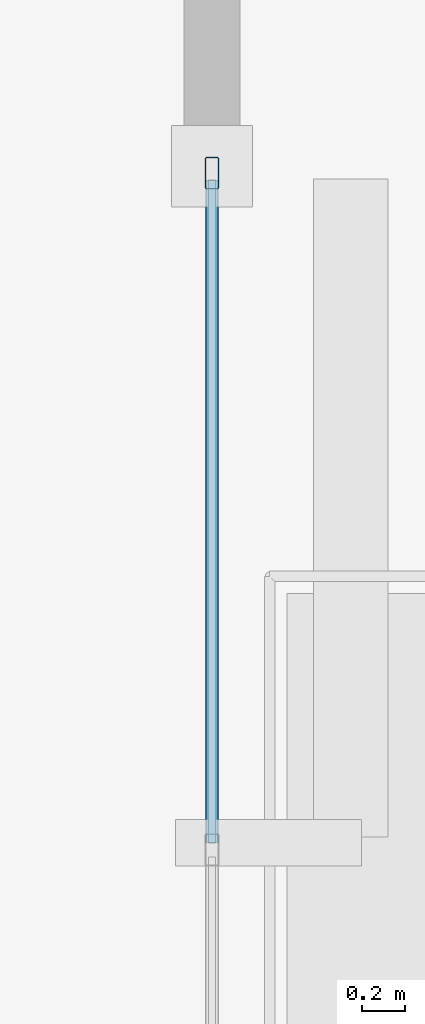
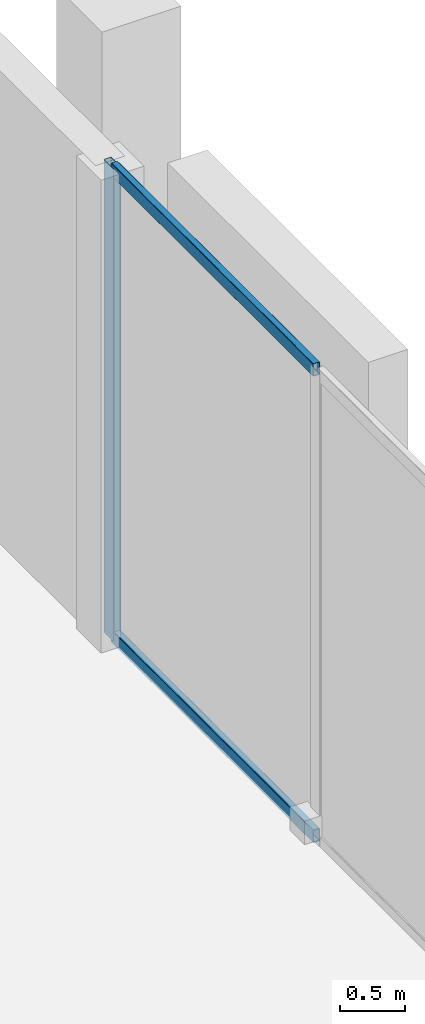
# One storey, part 7 of 16: 3 members, 1 element without a shape of its own.
"""IFC4 building model written with IfcOpenShell, lengths in metres."""

from ifc_helpers import new_model, si_unit, direction, frame, origin, origin_2d, place, context, subcontext, project, spatial, hollow_rectangle, extrude, material, layer, layer_set, material_profile, profile_set, type_object, element, aggregate, save


model = new_model("IFC4")

# Units and contexts
model_context = context("Model", 3, precision=1e-05, world=origin(), true_north=direction((0.0, 1.0)))
body_context = subcontext(model_context, "Body", "Model", "MODEL_VIEW")
ifc_project = project(units=[si_unit("LENGTHUNIT", "METRE"), si_unit("AREAUNIT", "SQUARE_METRE"), si_unit("VOLUMEUNIT", "CUBIC_METRE"), si_unit("PLANEANGLEUNIT", "RADIAN"), si_unit("MASSUNIT", "GRAM", prefix="KILO")], contexts=[model_context])

# Site, building, storey
site_placement = place(None, origin())
site = spatial("IfcSite", under=ifc_project, at=site_placement, CompositionType="ELEMENT")
building_placement = place(site_placement, origin())
building = spatial("IfcBuilding", under=site, at=building_placement, Name="An Khanh Terracotta Commons", CompositionType="ELEMENT")
storey_placement = place(building_placement, frame((0.0, 0.0, 5.39990234375)))
storey = spatial("IfcBuildingStorey", under=building, at=storey_placement, Name="L02", CompositionType="ELEMENT", Elevation=5.39990234375)

# Curtain wall, members
ifc_material = material(Name="Anodised Aluminium 6063-T6", Category="aluminium")
ifc_layer = layer(ifc_material, 0.179931640625, Name="Anodised Aluminium 6063-T6")
ifc_layer_set = layer_set([ifc_layer], Name="Anodised Aluminium 6063-T6")
curtain_wall_type = type_object("IfcCurtainWallType", Name="CW-SYS-01", PredefinedType="USERDEFINED", material=ifc_layer_set)
curtain_wall_placement = place(storey_placement, origin())
curtain_wall = element("IfcCurtainWall", 1, at=curtain_wall_placement, inside=storey, type_object=curtain_wall_type, Name="L02 CW-01 Unitised Curtain Wall CW-L02-EAST", ObjectType="UNITISED CURTAIN WALL", PredefinedType="USERDEFINED")
ifc_material_profile_1 = material_profile(ifc_material, hollow_rectangle(XDim=0.06494140625, YDim=0.14990234375, WallThickness=0.00390625, InnerFilletRadius=0.00390625, OuterFilletRadius=0.008056640625, at=origin_2d()), Name="RHS150x65x4")
ifc_profile_set_1 = profile_set([ifc_material_profile_1], Name="Anodised Aluminium 6063-T6")
member_type_1 = type_object("IfcMemberType", Name="CWM-RHS150x65x4", PredefinedType="MULLION", material=ifc_profile_set_1)
member_1_placement = place(storey_placement, frame((71.800048828125, 31.967529296875, 0.0), z_axis=(0.0, 0.0, 1.0), x_axis=(-1.0, 0.0, 0.0)))
member_1 = element("IfcMember", 2, at=member_1_placement, type_object=member_type_1, Name="CW-01 mullion 6", PredefinedType="MULLION", context=body_context, shape_type="SweptSolid", body=[
    extrude(hollow_rectangle(XDim=0.06494140625, YDim=0.14990234375, WallThickness=0.00390625, InnerFilletRadius=0.00390625, OuterFilletRadius=0.008056640625, at=origin_2d()), origin(), (0.0, 0.0, 1.0), 4.43017578125),
])
ifc_material_profile_2 = material_profile(ifc_material, hollow_rectangle(XDim=0.06005859375, YDim=0.1201171875, WallThickness=0.003662109375, InnerFilletRadius=0.003662109375, OuterFilletRadius=0.007080078125, at=origin_2d()), Name="RHS120x60x3.6")
ifc_profile_set_2 = profile_set([ifc_material_profile_2], Name="Anodised Aluminium 6063-T6")
member_type_2 = type_object("IfcMemberType", Name="CWT-RHS120x60x3.6", PredefinedType="USERDEFINED", material=ifc_profile_set_2)
member_2_placement = place(storey_placement, frame((71.800048828125, 28.83251953125, 0.030029296875), z_axis=(0.0, 1.0, 0.0), x_axis=(-1.0, 0.0, 0.0)))
member_2 = element("IfcMember", 3, at=member_2_placement, type_object=member_type_2, Name="CW-01 transom 5.1", ObjectType="TRANSOM", PredefinedType="USERDEFINED", context=body_context, shape_type="SweptSolid", body=[
    extrude(hollow_rectangle(XDim=0.06005859375, YDim=0.1201171875, WallThickness=0.003662109375, InnerFilletRadius=0.003662109375, OuterFilletRadius=0.007080078125, at=origin_2d()), origin(), (0.0, 0.0, 1.0), 3.1025390625),
])
member_3_placement = place(storey_placement, frame((71.800048828125, 28.83251953125, 4.400146484375), z_axis=(0.0, 1.0, 0.0), x_axis=(-1.0, 0.0, 0.0)))
member_3 = element("IfcMember", 4, at=member_3_placement, type_object=member_type_2, Name="CW-01 transom 5.2", ObjectType="TRANSOM", PredefinedType="USERDEFINED", context=body_context, shape_type="SweptSolid", body=[
    extrude(hollow_rectangle(XDim=0.06005859375, YDim=0.1201171875, WallThickness=0.003662109375, InnerFilletRadius=0.003662109375, OuterFilletRadius=0.007080078125, at=origin_2d()), origin(), (0.0, 0.0, 1.0), 3.1025390625),
])
aggregate(curtain_wall, [member_1, member_2, member_3])

save(model, "model.ifc")
